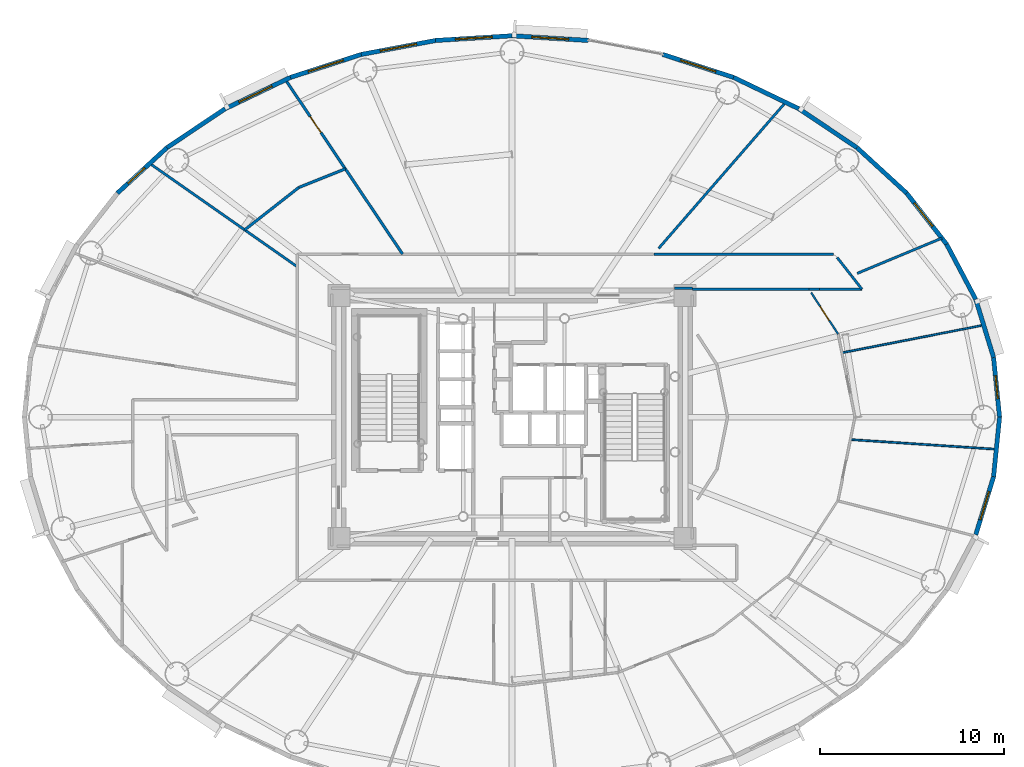
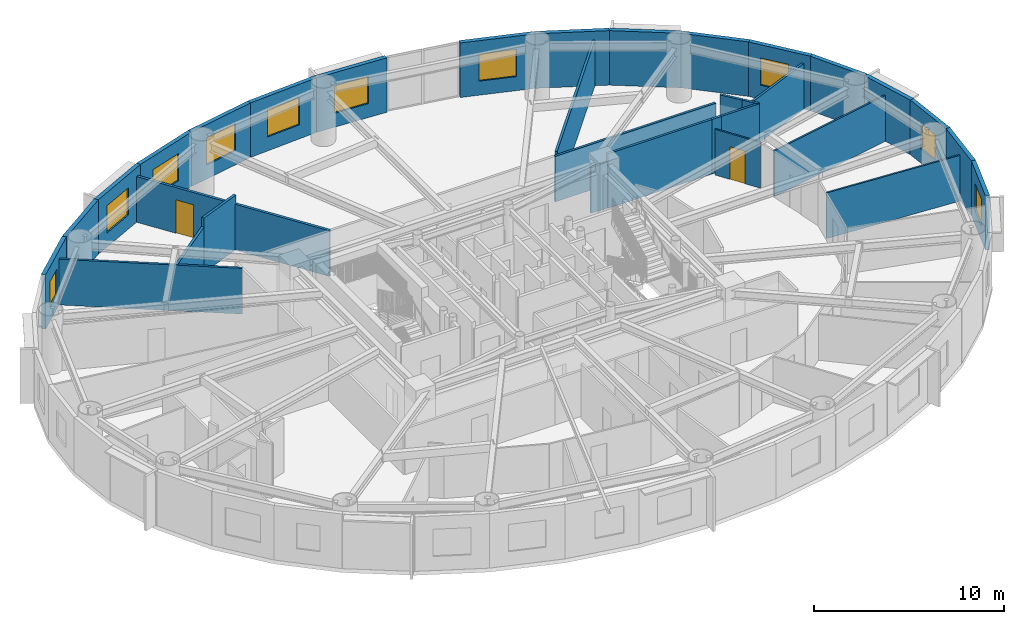
# One storey, part 14 of 21: 33 walls, 10 windows, 2 doors, 12 openings.
"""IFC4 building model written with IfcOpenShell, lengths in metres."""

from ifc_helpers import new_model, si_unit, direction, frame, frame_2d, origin, origin_2d, place, context, subcontext, project, spatial, rectangle, extrude, source, transform, mapped, material, layer, layer_set, type_object, element, fill, save


model = new_model("IFC4")

# Units and contexts
model_context = context("Model", 3, precision=1e-05, world=origin(), true_north=direction((0.0, 1.0)))
body_context = subcontext(model_context, "Body", "Model", "MODEL_VIEW")
ifc_project = project(units=[si_unit("LENGTHUNIT", "METRE"), si_unit("AREAUNIT", "SQUARE_METRE"), si_unit("VOLUMEUNIT", "CUBIC_METRE"), si_unit("PLANEANGLEUNIT", "RADIAN"), si_unit("MASSUNIT", "GRAM", prefix="KILO")], contexts=[model_context])

# Site, building, storey
site_placement = place(None, origin())
site = spatial("IfcSite", under=ifc_project, at=site_placement, CompositionType="ELEMENT")
building_placement = place(site_placement, origin())
building = spatial("IfcBuilding", under=site, at=building_placement, Name="Linh Dai School and Residence Tower", CompositionType="ELEMENT")
storey_placement = place(building_placement, frame((0.0, 0.0, 171.14990234375)))
storey = spatial("IfcBuildingStorey", under=building, at=storey_placement, Name="L41", CompositionType="ELEMENT", Elevation=171.14990234375)

# Wall, opening, window
ifc_material_1 = material(Name="Precast Concrete B45 (C35/45)", Category="concrete")
ifc_layer_1 = layer(ifc_material_1, 0.239990234375)
ifc_layer_set_1 = layer_set([ifc_layer_1], Name="Precast Concrete B45 (C35/45)")
wall_type_1 = type_object("IfcWallType", Name="EW-TC-240", PredefinedType="SOLIDWALL", material=ifc_layer_set_1)
wall_1_placement = place(storey_placement, frame((62.14990234375, 30.233642578125, 0.0), z_axis=(0.0, 0.0, 1.0), x_axis=(0.100061534614, -0.994981250723, 0.0)))
wall_1 = element("IfcWall", 1, at=wall_1_placement, inside=storey, type_object=wall_type_1, Name="L41 Terracotta Exterior Wall 01", PredefinedType="SOLIDWALL", context=body_context, shape_type="SweptSolid", body=[
    extrude(rectangle(XDim=3.25, YDim=0.239990234375, at=frame_2d((1.625, 0.0))), origin(), (0.0, 0.0, 1.0), 3.5),
])
opening_1_placement = place(wall_1_placement, frame((1.0, 0.0, 0.89990234375)))
opening_1 = element("IfcOpeningElement", 2, at=opening_1_placement, cuts=wall_1, Name="Opening W3", PredefinedType="OPENING", context=body_context, shape_type="SweptSolid", body=[
    extrude(rectangle(XDim=1.25, YDim=1.64990234375, at=origin_2d()), frame((0.625, 0.1298828125, 0.824951171875), z_axis=(0.0, -1.0, 0.0), x_axis=(1.0, 0.0, 0.0)), (0.0, 0.0, 1.0), 0.260009765625),
])
ifc_material_2 = material(Name="Double Low-E Insulated Glazing", Category="glass")
window_type_1 = type_object("IfcWindowType", Name="WN-RES-1250x1650", PartitioningType="SINGLE_PANEL", PredefinedType="WINDOW", material=ifc_material_2)
shared_shape_1 = source(origin(), body_context, "Body", "SweptSolid", [
    extrude(rectangle(XDim=1.25, YDim=1.64990234375, at=origin_2d()), frame((0.625, 0.030029296875, 0.824951171875), z_axis=(0.0, -1.0, 0.0), x_axis=(1.0, 0.0, 0.0)), (0.0, 0.0, 1.0), 0.06005859375),
])
window_1_placement = place(opening_1_placement, origin())
window_1 = element("IfcWindow", 3, at=window_1_placement, inside=storey, type_object=window_type_1, Name="L41 Dwelling Window U4102-BD4", OverallHeight=1.64990234375, OverallWidth=1.25, PartitioningType="SINGLE_PANEL", PredefinedType="WINDOW", context=body_context, shape_type="MappedRepresentation", body=[
    mapped(shared_shape_1, transform((0.0, 0.0, 0.0), x_axis=(1.0, 0.0, 0.0), y_axis=(0.0, 1.0, 0.0), z_axis=(0.0, 0.0, 1.0), scale=1.0)),
])
fill(opening_1, window_1)

# Walls
wall_2_placement = place(storey_placement, frame((61.1826171875, 33.388916015625, 0.0), z_axis=(0.0, 0.0, 1.0), x_axis=(0.293097995113, -0.956082405058, 0.0)))
element("IfcWall", 4, at=wall_2_placement, inside=storey, type_object=wall_type_1, Name="L41 Terracotta Exterior Wall 02", PredefinedType="SOLIDWALL", context=body_context, shape_type="SweptSolid", body=[
    extrude(rectangle(XDim=3.30029296875, YDim=0.239990234375, at=frame_2d((1.650146484375, 0.0))), origin(), (0.0, 0.0, 1.0), 3.5),
])
wall_3_placement = place(storey_placement, frame((59.595947265625, 36.388427734375, 0.0), z_axis=(0.0, 0.0, 1.0), x_axis=(0.467586874938, -0.88394712194, 0.0)))
element("IfcWall", 5, at=wall_3_placement, inside=storey, type_object=wall_type_1, Name="L41 Terracotta Exterior Wall 03", PredefinedType="SOLIDWALL", context=body_context, shape_type="SweptSolid", body=[
    extrude(rectangle(XDim=3.393310546875, YDim=0.239990234375, at=frame_2d((1.69677734375, 0.0))), origin(), (0.0, 0.0, 1.0), 3.5),
])

# Wall, opening, window
wall_4_placement = place(storey_placement, frame((57.42822265625, 39.158447265625, 0.0), z_axis=(0.0, 0.0, 1.0), x_axis=(0.616287674549, -0.787521112224, 0.0)))
wall_4 = element("IfcWall", 6, at=wall_4_placement, inside=storey, type_object=wall_type_1, Name="L41 Terracotta Exterior Wall 04", PredefinedType="SOLIDWALL", context=body_context, shape_type="SweptSolid", body=[
    extrude(rectangle(XDim=3.517333984375, YDim=0.239990234375, at=frame_2d((1.7587890625, 0.0))), origin(), (0.0, 0.0, 1.0), 3.5),
])
opening_2_placement = place(wall_4_placement, frame((0.683837890625, 0.0, 0.89990234375)))
opening_2 = element("IfcOpeningElement", 7, at=opening_2_placement, cuts=wall_4, Name="Opening W2", PredefinedType="OPENING", context=body_context, shape_type="SweptSolid", body=[
    extrude(rectangle(XDim=1.60009765625, YDim=1.75, at=origin_2d()), frame((0.800048828125, 0.1298828125, 0.875), z_axis=(0.0, -1.0, 0.0), x_axis=(1.0, 0.0, 0.0)), (0.0, 0.0, 1.0), 0.260009765625),
])
window_type_2 = type_object("IfcWindowType", Name="WN-RES-1600x1750", PartitioningType="DOUBLE_PANEL_VERTICAL", PredefinedType="WINDOW", material=ifc_material_2)
shared_shape_2 = source(origin(), body_context, "Body", "SweptSolid", [
    extrude(rectangle(XDim=1.60009765625, YDim=1.75, at=origin_2d()), frame((0.800048828125, 0.030029296875, 0.875), z_axis=(0.0, -1.0, 0.0), x_axis=(1.0, 0.0, 0.0)), (0.0, 0.0, 1.0), 0.06005859375),
])
window_2_placement = place(opening_2_placement, origin())
window_2 = element("IfcWindow", 8, at=window_2_placement, inside=storey, type_object=window_type_2, Name="L41 Exterior Window 04.1", OverallHeight=1.75, OverallWidth=1.60009765625, PartitioningType="DOUBLE_PANEL_VERTICAL", PredefinedType="WINDOW", context=body_context, shape_type="MappedRepresentation", body=[
    mapped(shared_shape_2, transform((0.0, 0.0, 0.0), x_axis=(1.0, 0.0, 0.0), y_axis=(0.0, 1.0, 0.0), z_axis=(0.0, 0.0, 1.0), scale=1.0)),
])
fill(opening_2, window_2)

# Walls
wall_5_placement = place(storey_placement, frame((54.73193359375, 41.630615234375, 0.0), z_axis=(0.0, 0.0, 1.0), x_axis=(0.737076565834, -0.675809245349, 0.0)))
element("IfcWall", 9, at=wall_5_placement, inside=storey, type_object=wall_type_1, Name="L41 Terracotta Exterior Wall 05", PredefinedType="SOLIDWALL", context=body_context, shape_type="SweptSolid", body=[
    extrude(rectangle(XDim=3.658203125, YDim=0.239990234375, at=frame_2d((1.8291015625, 0.0))), origin(), (0.0, 0.0, 1.0), 3.5),
])
wall_6_placement = place(storey_placement, frame((51.5732421875, 43.7431640625, 0.0), z_axis=(0.0, 0.0, 1.0), x_axis=(0.831228998277, -0.555930168657, 0.0)))
element("IfcWall", 10, at=wall_6_placement, inside=storey, type_object=wall_type_1, Name="L41 Terracotta Exterior Wall 06", PredefinedType="SOLIDWALL", context=body_context, shape_type="SweptSolid", body=[
    extrude(rectangle(XDim=3.800048828125, YDim=0.239990234375, at=frame_2d((1.89990234375, 0.0))), origin(), (0.0, 0.0, 1.0), 3.5),
])
wall_7_placement = place(storey_placement, frame((48.02978515625, 45.443603515625, 0.0), z_axis=(0.0, 0.0, 1.0), x_axis=(0.901564733809, -0.432644231155, 0.0)))
element("IfcWall", 11, at=wall_7_placement, inside=storey, type_object=wall_type_1, Name="L41 Terracotta Exterior Wall 07", PredefinedType="SOLIDWALL", context=body_context, shape_type="SweptSolid", body=[
    extrude(rectangle(XDim=3.930419921875, YDim=0.239990234375, at=frame_2d((1.96533203125, 0.0))), origin(), (0.0, 0.0, 1.0), 3.5),
])

# Wall, opening, window
wall_8_placement = place(storey_placement, frame((44.18896484375, 46.689453125, 0.0), z_axis=(0.0, 0.0, 1.0), x_axis=(0.951209870236, -0.30854462038, 0.0)))
wall_8 = element("IfcWall", 12, at=wall_8_placement, inside=storey, type_object=wall_type_1, Name="L41 Terracotta Exterior Wall 08", PredefinedType="SOLIDWALL", context=body_context, shape_type="SweptSolid", body=[
    extrude(rectangle(XDim=4.037841796875, YDim=0.239990234375, at=frame_2d((2.01904296875, 0.0))), origin(), (0.0, 0.0, 1.0), 3.5),
])
opening_3_placement = place(wall_8_placement, frame((1.018798828125, 0.0, 0.89990234375)))
opening_3 = element("IfcOpeningElement", 13, at=opening_3_placement, cuts=wall_8, Name="Opening W1", PredefinedType="OPENING", context=body_context, shape_type="SweptSolid", body=[
    extrude(rectangle(XDim=2.0, YDim=1.75, at=origin_2d()), frame((1.0, 0.1298828125, 0.875), z_axis=(0.0, -1.0, 0.0), x_axis=(1.0, 0.0, 0.0)), (0.0, 0.0, 1.0), 0.260009765625),
])
window_type_3 = type_object("IfcWindowType", Name="WN-RES-2000x1750", PartitioningType="DOUBLE_PANEL_VERTICAL", PredefinedType="WINDOW", material=ifc_material_2)
shared_shape_3 = source(origin(), body_context, "Body", "SweptSolid", [
    extrude(rectangle(XDim=2.0, YDim=1.75, at=origin_2d()), frame((1.0, 0.030029296875, 0.875), z_axis=(0.0, -1.0, 0.0), x_axis=(1.0, 0.0, 0.0)), (0.0, 0.0, 1.0), 0.06005859375),
])
window_3_placement = place(opening_3_placement, origin())
window_3 = element("IfcWindow", 14, at=window_3_placement, inside=storey, type_object=window_type_3, Name="L41 Exterior Window 08.1", OverallHeight=1.75, OverallWidth=2.0, PartitioningType="DOUBLE_PANEL_VERTICAL", PredefinedType="WINDOW", context=body_context, shape_type="MappedRepresentation", body=[
    mapped(shared_shape_3, transform((0.0, 0.0, 0.0), x_axis=(1.0, 0.0, 0.0), y_axis=(0.0, 1.0, 0.0), z_axis=(0.0, 0.0, 1.0), scale=1.0)),
])
fill(opening_3, window_3)

wall_9_placement = place(storey_placement, frame((36.0, 47.705078125, 0.0), z_axis=(0.0, 0.0, 1.0), x_axis=(0.998104600619, -0.061540281305, 0.0)))
wall_9 = element("IfcWall", 15, at=wall_9_placement, inside=storey, type_object=wall_type_1, Name="L41 Terracotta Exterior Wall 10", PredefinedType="SOLIDWALL", context=body_context, shape_type="SweptSolid", body=[
    extrude(rectangle(XDim=4.153564453125, YDim=0.239990234375, at=frame_2d((2.07666015625, 0.0))), origin(), (0.0, 0.0, 1.0), 3.5),
])
opening_4_placement = place(wall_9_placement, frame((1.076904296875, 0.0, 0.89990234375)))
opening_4 = element("IfcOpeningElement", 16, at=opening_4_placement, cuts=wall_9, Name="Opening W1", PredefinedType="OPENING", context=body_context, shape_type="SweptSolid", body=[
    extrude(rectangle(XDim=2.0, YDim=1.75, at=origin_2d()), frame((1.0, 0.1298828125, 0.875), z_axis=(0.0, -1.0, 0.0), x_axis=(1.0, 0.0, 0.0)), (0.0, 0.0, 1.0), 0.260009765625),
])
window_4_placement = place(opening_4_placement, origin())
window_4 = element("IfcWindow", 17, at=window_4_placement, inside=storey, type_object=window_type_3, Name="L41 Exterior Window 10.1", OverallHeight=1.75, OverallWidth=2.0, PartitioningType="DOUBLE_PANEL_VERTICAL", PredefinedType="WINDOW", context=body_context, shape_type="MappedRepresentation", body=[
    mapped(shared_shape_3, transform((0.0, 0.0, 0.0), x_axis=(1.0, 0.0, 0.0), y_axis=(0.0, 1.0, 0.0), z_axis=(0.0, 0.0, 1.0), scale=1.0)),
])
fill(opening_4, window_4)

wall_10_placement = place(storey_placement, frame((31.854248046875, 47.449462890625, 0.0), z_axis=(0.0, 0.0, 1.0), x_axis=(0.998104600619, 0.061540281305, 0.0)))
wall_10 = element("IfcWall", 18, at=wall_10_placement, inside=storey, type_object=wall_type_1, Name="L41 Terracotta Exterior Wall 11", PredefinedType="SOLIDWALL", context=body_context, shape_type="SweptSolid", body=[
    extrude(rectangle(XDim=4.153564453125, YDim=0.239990234375, at=frame_2d((2.07666015625, 0.0))), origin(), (0.0, 0.0, 1.0), 3.5),
])
opening_5_placement = place(wall_10_placement, frame((1.076904296875, 0.0, 0.89990234375)))
opening_5 = element("IfcOpeningElement", 19, at=opening_5_placement, cuts=wall_10, Name="Opening W1", PredefinedType="OPENING", context=body_context, shape_type="SweptSolid", body=[
    extrude(rectangle(XDim=2.0, YDim=1.75, at=origin_2d()), frame((1.0, 0.1298828125, 0.875), z_axis=(0.0, -1.0, 0.0), x_axis=(1.0, 0.0, 0.0)), (0.0, 0.0, 1.0), 0.260009765625),
])
window_5_placement = place(opening_5_placement, origin())
window_5 = element("IfcWindow", 20, at=window_5_placement, inside=storey, type_object=window_type_3, Name="L41 Exterior Window 11.1", OverallHeight=1.75, OverallWidth=2.0, PartitioningType="DOUBLE_PANEL_VERTICAL", PredefinedType="WINDOW", context=body_context, shape_type="MappedRepresentation", body=[
    mapped(shared_shape_3, transform((0.0, 0.0, 0.0), x_axis=(1.0, 0.0, 0.0), y_axis=(0.0, 1.0, 0.0), z_axis=(0.0, 0.0, 1.0), scale=1.0)),
])
fill(opening_5, window_5)

wall_11_placement = place(storey_placement, frame((27.81103515625, 46.689453125, 0.0), z_axis=(0.0, 0.0, 1.0), x_axis=(0.982788108205, 0.184736391573, 0.0)))
wall_11 = element("IfcWall", 21, at=wall_11_placement, inside=storey, type_object=wall_type_1, Name="L41 Terracotta Exterior Wall 12", PredefinedType="SOLIDWALL", context=body_context, shape_type="SweptSolid", body=[
    extrude(rectangle(XDim=4.114013671875, YDim=0.239990234375, at=frame_2d((2.05712890625, 0.0))), origin(), (0.0, 0.0, 1.0), 3.5),
])
opening_6_placement = place(wall_11_placement, frame((1.05712890625, 0.0, 0.89990234375)))
opening_6 = element("IfcOpeningElement", 22, at=opening_6_placement, cuts=wall_11, Name="Opening W1", PredefinedType="OPENING", context=body_context, shape_type="SweptSolid", body=[
    extrude(rectangle(XDim=2.0, YDim=1.75, at=origin_2d()), frame((1.0, 0.1298828125, 0.875), z_axis=(0.0, -1.0, 0.0), x_axis=(1.0, 0.0, 0.0)), (0.0, 0.0, 1.0), 0.260009765625),
])
window_6_placement = place(opening_6_placement, origin())
window_6 = element("IfcWindow", 23, at=window_6_placement, inside=storey, type_object=window_type_3, Name="L41 Exterior Window 12.1", OverallHeight=1.75, OverallWidth=2.0, PartitioningType="DOUBLE_PANEL_VERTICAL", PredefinedType="WINDOW", context=body_context, shape_type="MappedRepresentation", body=[
    mapped(shared_shape_3, transform((0.0, 0.0, 0.0), x_axis=(1.0, 0.0, 0.0), y_axis=(0.0, 1.0, 0.0), z_axis=(0.0, 0.0, 1.0), scale=1.0)),
])
fill(opening_6, window_6)

wall_12_placement = place(storey_placement, frame((23.97021484375, 45.443603515625, 0.0), z_axis=(0.0, 0.0, 1.0), x_axis=(0.951209870236, 0.30854462038, 0.0)))
wall_12 = element("IfcWall", 24, at=wall_12_placement, inside=storey, type_object=wall_type_1, Name="L41 Terracotta Exterior Wall 13", PredefinedType="SOLIDWALL", context=body_context, shape_type="SweptSolid", body=[
    extrude(rectangle(XDim=4.037841796875, YDim=0.239990234375, at=frame_2d((2.01904296875, 0.0))), origin(), (0.0, 0.0, 1.0), 3.5),
])
opening_7_placement = place(wall_12_placement, frame((1.01904296875, 0.0, 0.89990234375)))
opening_7 = element("IfcOpeningElement", 25, at=opening_7_placement, cuts=wall_12, Name="Opening W1", PredefinedType="OPENING", context=body_context, shape_type="SweptSolid", body=[
    extrude(rectangle(XDim=2.0, YDim=1.75, at=origin_2d()), frame((1.0, 0.1298828125, 0.875), z_axis=(0.0, -1.0, 0.0), x_axis=(1.0, 0.0, 0.0)), (0.0, 0.0, 1.0), 0.260009765625),
])
window_7_placement = place(opening_7_placement, origin())
window_7 = element("IfcWindow", 26, at=window_7_placement, inside=storey, type_object=window_type_3, Name="L41 Exterior Window 13.1", OverallHeight=1.75, OverallWidth=2.0, PartitioningType="DOUBLE_PANEL_VERTICAL", PredefinedType="WINDOW", context=body_context, shape_type="MappedRepresentation", body=[
    mapped(shared_shape_3, transform((0.0, 0.0, 0.0), x_axis=(1.0, 0.0, 0.0), y_axis=(0.0, 1.0, 0.0), z_axis=(0.0, 0.0, 1.0), scale=1.0)),
])
fill(opening_7, window_7)

wall_13_placement = place(storey_placement, frame((20.4267578125, 43.7431640625, 0.0), z_axis=(0.0, 0.0, 1.0), x_axis=(0.901564733809, 0.432644231155, 0.0)))
wall_13 = element("IfcWall", 27, at=wall_13_placement, inside=storey, type_object=wall_type_1, Name="L41 Terracotta Exterior Wall 14", PredefinedType="SOLIDWALL", context=body_context, shape_type="SweptSolid", body=[
    extrude(rectangle(XDim=3.930419921875, YDim=0.239990234375, at=frame_2d((1.96533203125, 0.0))), origin(), (0.0, 0.0, 1.0), 3.5),
])
opening_8_placement = place(wall_13_placement, frame((0.829833984375, 0.0, 0.89990234375)))
opening_8 = element("IfcOpeningElement", 28, at=opening_8_placement, cuts=wall_13, Name="Opening W1", PredefinedType="OPENING", context=body_context, shape_type="SweptSolid", body=[
    extrude(rectangle(XDim=2.0, YDim=1.75, at=origin_2d()), frame((1.0, 0.1298828125, 0.875), z_axis=(0.0, -1.0, 0.0), x_axis=(1.0, 0.0, 0.0)), (0.0, 0.0, 1.0), 0.260009765625),
])
window_8_placement = place(opening_8_placement, origin())
window_8 = element("IfcWindow", 29, at=window_8_placement, inside=storey, type_object=window_type_3, Name="L41 Exterior Window 14.1", OverallHeight=1.75, OverallWidth=2.0, PartitioningType="DOUBLE_PANEL_VERTICAL", PredefinedType="WINDOW", context=body_context, shape_type="MappedRepresentation", body=[
    mapped(shared_shape_3, transform((0.0, 0.0, 0.0), x_axis=(1.0, 0.0, 0.0), y_axis=(0.0, 1.0, 0.0), z_axis=(0.0, 0.0, 1.0), scale=1.0)),
])
fill(opening_8, window_8)

# Wall
wall_14_placement = place(storey_placement, frame((17.26806640625, 41.630615234375, 0.0), z_axis=(0.0, 0.0, 1.0), x_axis=(0.831228998277, 0.555930168657, 0.0)))
element("IfcWall", 30, at=wall_14_placement, inside=storey, type_object=wall_type_1, Name="L41 Terracotta Exterior Wall 15", PredefinedType="SOLIDWALL", context=body_context, shape_type="SweptSolid", body=[
    extrude(rectangle(XDim=3.800048828125, YDim=0.239990234375, at=frame_2d((1.89990234375, 0.0))), origin(), (0.0, 0.0, 1.0), 3.5),
])

# Wall, opening, window
wall_15_placement = place(storey_placement, frame((14.57177734375, 39.158447265625, 0.0), z_axis=(0.0, 0.0, 1.0), x_axis=(0.737076565834, 0.675809245349, 0.0)))
wall_15 = element("IfcWall", 31, at=wall_15_placement, inside=storey, type_object=wall_type_1, Name="L41 Terracotta Exterior Wall 16", PredefinedType="SOLIDWALL", context=body_context, shape_type="SweptSolid", body=[
    extrude(rectangle(XDim=3.658203125, YDim=0.239990234375, at=frame_2d((1.8291015625, 0.0))), origin(), (0.0, 0.0, 1.0), 3.5),
])
opening_9_placement = place(wall_15_placement, frame((0.777587890625, 0.0, 0.89990234375)))
opening_9 = element("IfcOpeningElement", 32, at=opening_9_placement, cuts=wall_15, Name="Opening W3", PredefinedType="OPENING", context=body_context, shape_type="SweptSolid", body=[
    extrude(rectangle(XDim=1.25, YDim=1.64990234375, at=origin_2d()), frame((0.625, 0.1298828125, 0.824951171875), z_axis=(0.0, -1.0, 0.0), x_axis=(1.0, 0.0, 0.0)), (0.0, 0.0, 1.0), 0.260009765625),
])
window_9_placement = place(opening_9_placement, origin())
window_9 = element("IfcWindow", 33, at=window_9_placement, inside=storey, type_object=window_type_1, Name="L41 Exterior Window 16.1", OverallHeight=1.64990234375, OverallWidth=1.25, PartitioningType="SINGLE_PANEL", PredefinedType="WINDOW", context=body_context, shape_type="MappedRepresentation", body=[
    mapped(shared_shape_1, transform((0.0, 0.0, 0.0), x_axis=(1.0, 0.0, 0.0), y_axis=(0.0, 1.0, 0.0), z_axis=(0.0, 0.0, 1.0), scale=1.0)),
])
fill(opening_9, window_9)

wall_16_placement = place(storey_placement, frame((62.14990234375, 23.766357421875, 0.0), z_axis=(0.0, 0.0, 1.0), x_axis=(-0.293097995113, -0.956082405058, 0.0)))
wall_16 = element("IfcWall", 34, at=wall_16_placement, inside=storey, type_object=wall_type_1, Name="L41 Terracotta Exterior Wall 39", PredefinedType="SOLIDWALL", context=body_context, shape_type="SweptSolid", body=[
    extrude(rectangle(XDim=3.30029296875, YDim=0.239990234375, at=frame_2d((1.650146484375, 0.0))), origin(), (0.0, 0.0, 1.0), 3.5),
])
opening_10_placement = place(wall_16_placement, frame((0.85009765625, 0.0, 0.89990234375)))
opening_10 = element("IfcOpeningElement", 35, at=opening_10_placement, cuts=wall_16, Name="Opening W2", PredefinedType="OPENING", context=body_context, shape_type="SweptSolid", body=[
    extrude(rectangle(XDim=1.60009765625, YDim=1.75, at=origin_2d()), frame((0.800048828125, 0.1298828125, 0.875), z_axis=(0.0, -1.0, 0.0), x_axis=(1.0, 0.0, 0.0)), (0.0, 0.0, 1.0), 0.260009765625),
])
window_10_placement = place(opening_10_placement, origin())
window_10 = element("IfcWindow", 36, at=window_10_placement, inside=storey, type_object=window_type_2, Name="L41 Exterior Window 39.1", OverallHeight=1.75, OverallWidth=1.60009765625, PartitioningType="DOUBLE_PANEL_VERTICAL", PredefinedType="WINDOW", context=body_context, shape_type="MappedRepresentation", body=[
    mapped(shared_shape_2, transform((0.0, 0.0, 0.0), x_axis=(1.0, 0.0, 0.0), y_axis=(0.0, 1.0, 0.0), z_axis=(0.0, 0.0, 1.0), scale=1.0)),
])
fill(opening_10, window_10)

# Walls
wall_17_placement = place(storey_placement, frame((62.47509765625, 27.0, 0.0), z_axis=(0.0, 0.0, 1.0), x_axis=(-0.100061534614, -0.994981250723, 0.0)))
element("IfcWall", 37, at=wall_17_placement, inside=storey, type_object=wall_type_1, Name="L41 Terracotta Exterior Wall 40", PredefinedType="SOLIDWALL", context=body_context, shape_type="SweptSolid", body=[
    extrude(rectangle(XDim=3.25, YDim=0.239990234375, at=frame_2d((1.625, 0.0))), origin(), (0.0, 0.0, 1.0), 3.5),
])
ifc_material_3 = material(Name="Autoclaved Aerated Concrete Blockwork", Category="masonry")
ifc_layer_2 = layer(ifc_material_3, 0.135009765625)
ifc_layer_set_2 = layer_set([ifc_layer_2], Name="Autoclaved Aerated Concrete Blockwork")
wall_type_2 = type_object("IfcWallType", Name="IW-CORR-135-EI90", PredefinedType="PARTITIONING", material=ifc_layer_set_2)
wall_18_placement = place(storey_placement, frame((16.327392578125, 40.77490234375, 0.0), z_axis=(0.0, 0.0, 1.0), x_axis=(0.819149932575, -0.573579452179, 0.0)))
element("IfcWall", 38, at=wall_18_placement, inside=storey, type_object=wall_type_2, Name="L41 Interior Partition Wall 010", PredefinedType="PARTITIONING", context=body_context, shape_type="SweptSolid", body=[
    extrude(rectangle(XDim=9.793701171875, YDim=0.135009765625, at=frame_2d((4.89697265625, 0.0))), origin(), (0.0, 0.0, 1.0), 2.93505859375),
])
wall_19_placement = place(storey_placement, frame((45.800048828125, 33.949951171875, 0.0), z_axis=(0.0, 0.0, 1.0), x_axis=(1.0, 0.0, 0.0)))
element("IfcWall", 39, at=wall_19_placement, inside=storey, type_object=wall_type_2, Name="L41 Interior Partition Wall 069", PredefinedType="PARTITIONING", context=body_context, shape_type="SweptSolid", body=[
    extrude(rectangle(XDim=6.318359375, YDim=0.135009765625, at=frame_2d((3.1591796875, 0.0))), origin(), (0.0, 0.0, 1.0), 3.5),
])
wall_20_placement = place(storey_placement, frame((52.6962890625, 33.949951171875, 0.0), z_axis=(0.0, 0.0, 1.0), x_axis=(1.0, 0.0, 0.0)))
element("IfcWall", 40, at=wall_20_placement, inside=storey, type_object=wall_type_2, Name="L41 Interior Partition Wall 076", PredefinedType="PARTITIONING", context=body_context, shape_type="SweptSolid", body=[
    extrude(rectangle(XDim=2.30078125, YDim=0.135009765625, at=frame_2d((1.150390625, 0.0))), origin(), (0.0, 0.0, 1.0), 3.5),
])
wall_21_placement = place(storey_placement, frame((54.431640625, 34.67236328125, 0.0), z_axis=(0.0, 0.0, 1.0), x_axis=(0.616351315364, -0.787471304905, 0.0)))
element("IfcWall", 41, at=wall_21_placement, inside=storey, type_object=wall_type_2, Name="L41 Interior Partition Wall 082", PredefinedType="PARTITIONING", context=body_context, shape_type="SweptSolid", body=[
    extrude(rectangle(XDim=0.91748046875, YDim=0.135009765625, at=frame_2d((0.458740234375, 0.0))), origin(), (0.0, 0.0, 1.0), 3.5),
])
wall_22_placement = place(storey_placement, frame((43.703125, 35.85009765625, 0.0), z_axis=(0.0, 0.0, 1.0), x_axis=(1.0, 0.0, 0.0)))
element("IfcWall", 42, at=wall_22_placement, inside=storey, type_object=wall_type_2, Name="L41 Interior Partition Wall 089", PredefinedType="PARTITIONING", context=body_context, shape_type="SweptSolid", body=[
    extrude(rectangle(XDim=9.750732421875, YDim=0.135009765625, at=frame_2d((4.87548828125, 0.0))), origin(), (0.0, 0.0, 1.0), 2.93505859375),
])
wall_23_placement = place(storey_placement, frame((53.6533203125, 35.6669921875, 0.0), z_axis=(0.0, 0.0, 1.0), x_axis=(0.616271486236, -0.787533780388, 0.0)))
element("IfcWall", 43, at=wall_23_placement, inside=storey, type_object=wall_type_2, Name="L41 Interior Partition Wall 090", PredefinedType="PARTITIONING", context=body_context, shape_type="SweptSolid", body=[
    extrude(rectangle(XDim=1.2529296875, YDim=0.135009765625, at=frame_2d((0.62646484375, 0.0))), origin(), (0.0, 0.0, 1.0), 3.5),
])
wall_24_placement = place(storey_placement, frame((52.686279296875, 33.949951171875, 0.0), z_axis=(0.0, 0.0, 1.0), x_axis=(-1.0, 0.0, 0.0)))
element("IfcWall", 44, at=wall_24_placement, inside=storey, type_object=wall_type_2, Name="L41 Interior Partition Wall 091", PredefinedType="PARTITIONING", context=body_context, shape_type="SweptSolid", body=[
    extrude(rectangle(XDim=0.557861328125, YDim=0.135009765625, at=frame_2d((0.27880859375, 0.0))), origin(), (0.0, 0.0, 1.0), 3.5),
])
wall_25_placement = place(storey_placement, frame((45.7900390625, 34.0, 0.0), z_axis=(0.0, 0.0, 1.0), x_axis=(-1.0, 0.0, 0.0)))
element("IfcWall", 45, at=wall_25_placement, inside=storey, type_object=wall_type_2, Name="L41 Interior Partition Wall 092", PredefinedType="PARTITIONING", context=body_context, shape_type="SweptSolid", body=[
    extrude(rectangle(XDim=0.97998046875, YDim=0.135009765625, at=frame_2d((0.489990234375, 0.0))), origin(), (0.0, 0.0, 1.0), 2.93505859375),
])
wall_26_placement = place(storey_placement, frame((50.85791015625, 44.092041015625, 0.0), z_axis=(0.0, 0.0, 1.0), x_axis=(-0.656061423317, -0.75470749886, 0.0)))
element("IfcWall", 46, at=wall_26_placement, inside=storey, type_object=wall_type_2, Name="L41 Interior Partition Wall 099", PredefinedType="PARTITIONING", context=body_context, shape_type="SweptSolid", body=[
    extrude(rectangle(XDim=10.513427734375, YDim=0.135009765625, at=frame_2d((5.2568359375, 0.0))), origin(), (0.0, 0.0, 1.0), 2.93505859375),
])
wall_27_placement = place(storey_placement, frame((54.745361328125, 34.802978515625, 0.0), z_axis=(0.0, 0.0, 1.0), x_axis=(0.92320880582, 0.384298713055, 0.0)))
element("IfcWall", 47, at=wall_27_placement, inside=storey, type_object=wall_type_2, Name="L41 Interior Partition Wall 109", PredefinedType="PARTITIONING", context=body_context, shape_type="SweptSolid", body=[
    extrude(rectangle(XDim=4.98193359375, YDim=0.135009765625, at=frame_2d((2.490966796875, 0.0))), origin(), (0.0, 0.0, 1.0), 2.93505859375),
])
ifc_layer_3 = layer(ifc_material_3, 0.14990234375)
ifc_layer_set_3 = layer_set([ifc_layer_3], Name="Autoclaved Aerated Concrete Blockwork")
wall_type_3 = type_object("IfcWallType", Name="IW-SCH-150-EI60", PredefinedType="PARTITIONING", material=ifc_layer_set_3)
wall_28_placement = place(storey_placement, frame((21.484619140625, 37.163818359375, 0.0), z_axis=(0.0, 0.0, 1.0), x_axis=(0.787295634213, 0.616575692311, 0.0)))
element("IfcWall", 48, at=wall_28_placement, inside=storey, type_object=wall_type_3, Name="L41 Interior Partition Wall 015", PredefinedType="PARTITIONING", context=body_context, shape_type="SweptSolid", body=[
    extrude(rectangle(XDim=3.740966796875, YDim=0.14990234375, at=frame_2d((1.87060546875, 0.0))), origin(), (0.0, 0.0, 1.0), 2.93505859375),
])

# Wall, opening, door
wall_29_placement = place(storey_placement, frame((23.69921875, 45.319091796875, 0.0), z_axis=(0.0, 0.0, 1.0), x_axis=(0.557458426319, -0.830204856, 0.0)))
wall_29 = element("IfcWall", 49, at=wall_29_placement, inside=storey, type_object=wall_type_3, Name="L41 Interior Partition Wall 016", PredefinedType="PARTITIONING", context=body_context, shape_type="SweptSolid", body=[
    extrude(rectangle(XDim=11.405517578125, YDim=0.14990234375, at=frame_2d((5.70263671875, 0.0))), origin(), (0.0, 0.0, 1.0), 2.93505859375),
])
opening_11_placement = place(wall_29_placement, frame((2.41162109375, 0.0, 0.0)))
opening_11 = element("IfcOpeningElement", 50, at=opening_11_placement, cuts=wall_29, Name="Opening D04", PredefinedType="OPENING", context=body_context, shape_type="SweptSolid", body=[
    extrude(rectangle(XDim=1.050048828125, YDim=2.14990234375, at=origin_2d()), frame((0.52490234375, 0.0849609375, 1.074951171875), z_axis=(0.0, -1.0, 0.0), x_axis=(1.0, 0.0, 0.0)), (0.0, 0.0, 1.0), 0.169921875),
])
ifc_material_4 = material(Name="Acoustic Vision-Panel Timber Classroom Door", Category="wood")
door_type_1 = type_object("IfcDoorType", Name="DR-SCH-1050x2150-FD60S", OperationType="NOTDEFINED", PredefinedType="DOOR", material=ifc_material_4)
shared_shape_4 = source(origin(), body_context, "Body", "SweptSolid", [
    extrude(rectangle(XDim=1.050048828125, YDim=2.14990234375, at=origin_2d()), frame((0.52490234375, 0.02490234375, 1.074951171875), z_axis=(0.0, -1.0, 0.0), x_axis=(1.0, 0.0, 0.0)), (0.0, 0.0, 1.0), 0.050048828125),
])
door_1_placement = place(opening_11_placement, origin())
door_1 = element("IfcDoor", 51, at=door_1_placement, inside=storey, type_object=door_type_1, Name="L41 Amenity Tea Salon Door", OperationType="SINGLE_SWING_RIGHT", OverallHeight=2.14990234375, OverallWidth=1.050048828125, PredefinedType="DOOR", context=body_context, shape_type="MappedRepresentation", body=[
    mapped(shared_shape_4, transform((0.0, 0.0, 0.0), x_axis=(1.0, 0.0, 0.0), y_axis=(0.0, 1.0, 0.0), z_axis=(0.0, 0.0, 1.0), scale=1.0)),
])
fill(opening_11, door_1)

# Wall
wall_30_placement = place(storey_placement, frame((24.429931640625, 39.470458984375, 0.0), z_axis=(0.0, 0.0, 1.0), x_axis=(0.928811262565, 0.370553152103, 0.0)))
element("IfcWall", 52, at=wall_30_placement, inside=storey, type_object=wall_type_3, Name="L41 Interior Partition Wall 022", PredefinedType="PARTITIONING", context=body_context, shape_type="SweptSolid", body=[
    extrude(rectangle(XDim=2.714599609375, YDim=0.14990234375, at=frame_2d((1.357421875, 0.0))), origin(), (0.0, 0.0, 1.0), 3.5),
])

# Wall, opening, door
ifc_material_5 = material(Name="Gypsum Plasterboard Acoustic Stud Partition", Category="masonry")
ifc_layer_4 = layer(ifc_material_5, 0.10009765625)
ifc_layer_set_4 = layer_set([ifc_layer_4], Name="Gypsum Plasterboard Acoustic Stud Partition")
wall_type_4 = type_object("IfcWallType", Name="IW-UNIT-100", PredefinedType="PARTITIONING", material=ifc_layer_set_4)
wall_31_placement = place(storey_placement, frame((52.241455078125, 33.7607421875, 0.0), z_axis=(0.0, 0.0, 1.0), x_axis=(0.545409337775, -0.838169824241, 0.0)))
wall_31 = element("IfcWall", 53, at=wall_31_placement, inside=storey, type_object=wall_type_4, Name="L41 Interior Partition Wall 075", PredefinedType="PARTITIONING", context=body_context, shape_type="SweptSolid", body=[
    extrude(rectangle(XDim=2.690185546875, YDim=0.10009765625, at=frame_2d((1.34521484375, 0.0))), origin(), (0.0, 0.0, 1.0), 2.93505859375),
])
opening_12_placement = place(wall_31_placement, frame((0.89501953125, 0.0, 0.0)))
opening_12 = element("IfcOpeningElement", 54, at=opening_12_placement, cuts=wall_31, Name="Opening D05", PredefinedType="OPENING", context=body_context, shape_type="SweptSolid", body=[
    extrude(rectangle(XDim=0.89990234375, YDim=2.10009765625, at=origin_2d()), frame((0.449951171875, 0.06005859375, 1.050048828125), z_axis=(0.0, -1.0, 0.0), x_axis=(1.0, 0.0, 0.0)), (0.0, 0.0, 1.0), 0.1201171875),
])
ifc_material_6 = material(Name="Engineered Timber Internal Door", Category="wood")
door_type_2 = type_object("IfcDoorType", Name="DR-INT-900x2100", OperationType="NOTDEFINED", PredefinedType="DOOR", material=ifc_material_6)
shared_shape_5 = source(origin(), body_context, "Body", "SweptSolid", [
    extrude(rectangle(XDim=0.89990234375, YDim=2.10009765625, at=origin_2d()), frame((0.449951171875, 0.02490234375, 1.050048828125), z_axis=(0.0, -1.0, 0.0), x_axis=(1.0, 0.0, 0.0)), (0.0, 0.0, 1.0), 0.050048828125),
])
door_2_placement = place(opening_12_placement, origin())
door_2 = element("IfcDoor", 55, at=door_2_placement, inside=storey, type_object=door_type_2, Name="L41 Apartment U4102 Study Door", OperationType="SINGLE_SWING_RIGHT", OverallHeight=2.10009765625, OverallWidth=0.89990234375, PredefinedType="DOOR", context=body_context, shape_type="MappedRepresentation", body=[
    mapped(shared_shape_5, transform((0.0, 0.0, 0.0), x_axis=(1.0, 0.0, 0.0), y_axis=(0.0, 1.0, 0.0), z_axis=(0.0, 0.0, 1.0), scale=1.0)),
])
fill(opening_12, door_2)

# Walls
wall_32_placement = place(storey_placement, frame((53.91357421875, 30.49267578125, 0.0), z_axis=(0.0, 0.0, 1.0), x_axis=(0.981522814431, 0.191345145616, 0.0)))
element("IfcWall", 56, at=wall_32_placement, inside=storey, type_object=wall_type_4, Name="L41 Interior Partition Wall 080", PredefinedType="PARTITIONING", context=body_context, shape_type="SweptSolid", body=[
    extrude(rectangle(XDim=7.846923828125, YDim=0.10009765625, at=frame_2d((3.92333984375, 0.0))), origin(), (0.0, 0.0, 1.0), 2.93505859375),
])
wall_33_placement = place(storey_placement, frame((54.373291015625, 25.779541015625, 0.0), z_axis=(0.0, 0.0, 1.0), x_axis=(0.997802925864, -0.066251951951, 0.0)))
element("IfcWall", 57, at=wall_33_placement, inside=storey, type_object=wall_type_4, Name="L41 Interior Partition Wall 081", PredefinedType="PARTITIONING", context=body_context, shape_type="SweptSolid", body=[
    extrude(rectangle(XDim=7.94873046875, YDim=0.10009765625, at=frame_2d((3.974365234375, 0.0))), origin(), (0.0, 0.0, 1.0), 2.93505859375),
])

save(model, "model.ifc")
